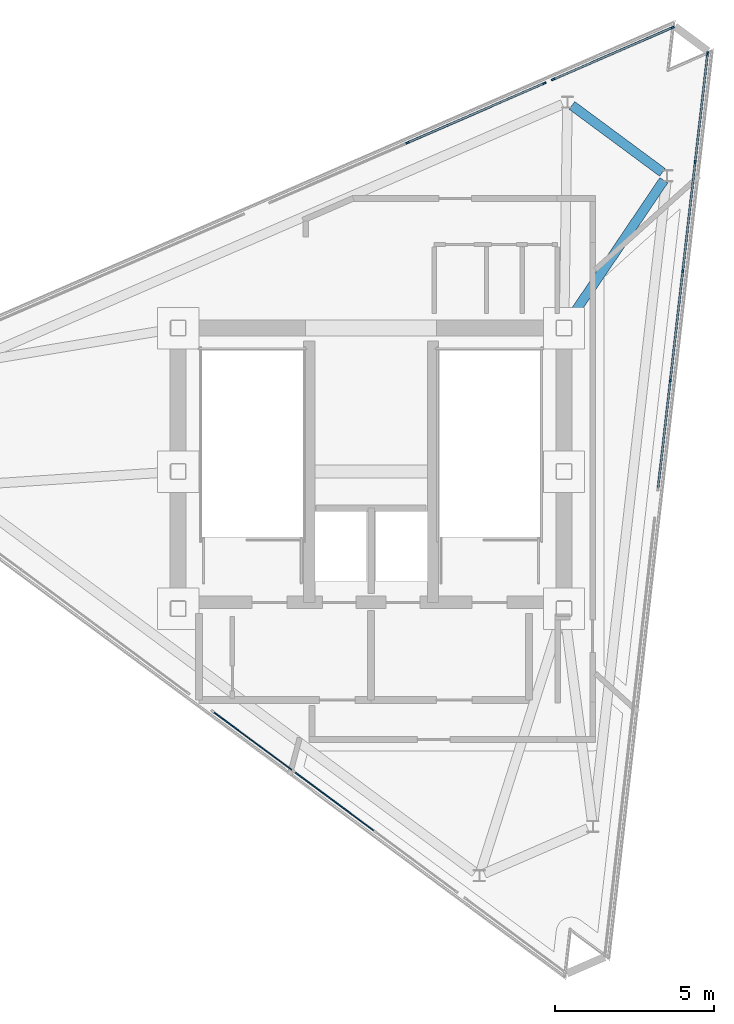
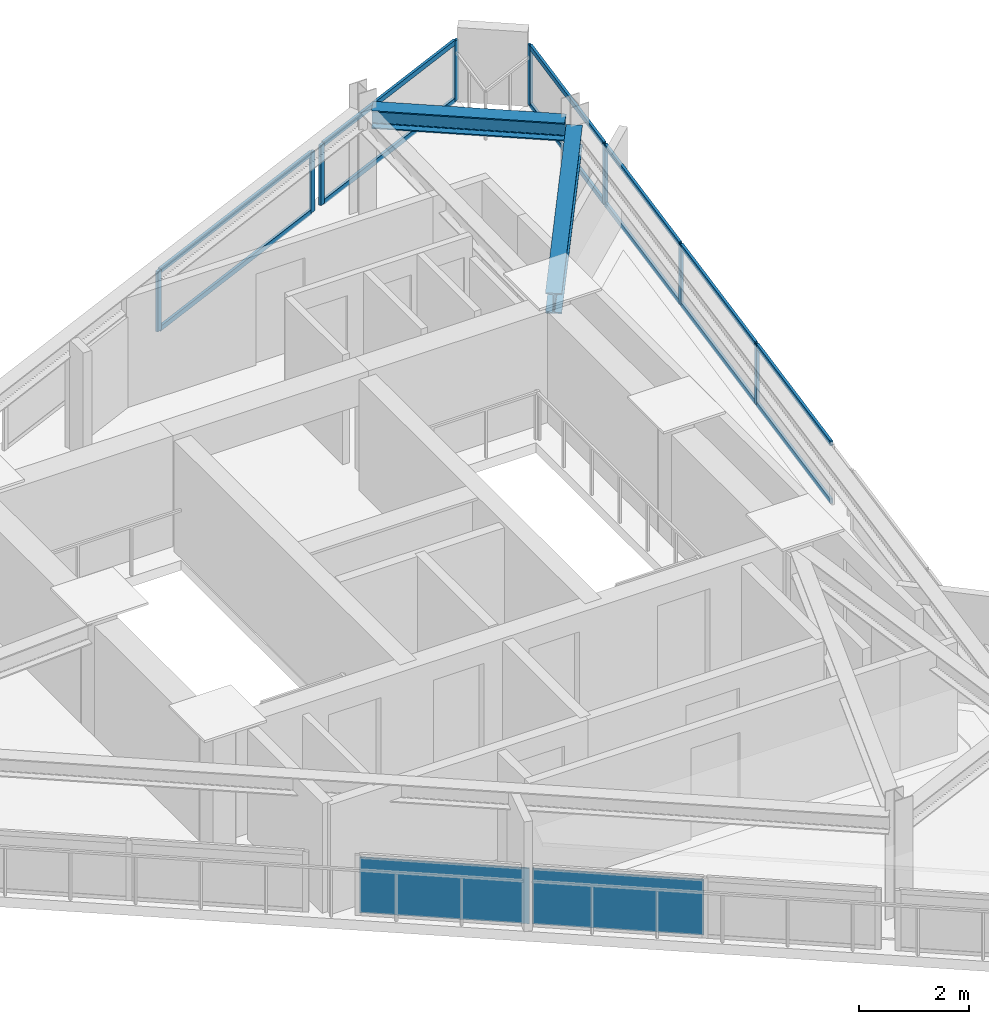
# One storey, part 5 of 9: 20 members, 2 beams, 2 plates, 4 elements without a shape of their own.
"""IFC4 building model written with IfcOpenShell, lengths in metres."""

import ifcopenshell
import ifcopenshell.guid

model = None  # the IFC model being written
_history = None  # IfcOwnerHistory: only IFC2X3 demands one
_inside = {}  # id of a spatial element -> (the spatial element, [elements in it])
_under = {}  # id of a project, library or spatial element -> (it, [spatial elements below it])
_declared = {}  # id of a project -> (the project, [libraries it declares])
_typed = {}  # id of a type object -> (the type object, [elements of that type])
_made_of = {}  # id of a material, layer set ... -> (it, [elements and type objects made of it])


def new_model(schema):
    """Start an empty IFC model of exactly this schema.

    Asked for "IFC4X3", IfcOpenShell would pick the latest addendum, in which some entities
    have other attributes; the version numbers below select the first issue.
    IFC2X3 requires an IfcOwnerHistory on every rooted entity: one is made here for all.
    """
    global model, _history
    if schema == "IFC4X3":
        model = ifcopenshell.file(schema_version=(4, 3, 0, 0))
    else:
        model = ifcopenshell.file(schema=schema)
    _inside.clear()
    _under.clear()
    _declared.clear()
    _typed.clear()
    _made_of.clear()
    _history = None
    if model.schema == "IFC2X3":
        org = make("IfcOrganization", Name="unknown")
        user = make(
            "IfcPersonAndOrganization",
            ThePerson=make("IfcPerson", FamilyName="unknown"),
            TheOrganization=org,
        )
        app = make(
            "IfcApplication",
            ApplicationDeveloper=org,
            Version="unknown",
            ApplicationFullName="unknown",
            ApplicationIdentifier="unknown",
        )
        _history = make(
            "IfcOwnerHistory",
            OwningUser=user,
            OwningApplication=app,
            ChangeAction="ADDED",
            CreationDate=0,
        )
    return model


def make(cls, **values):
    """One entity of the class cls with the attributes given. An attribute that is None is left unset."""
    return model.create_entity(
        cls, **{name: value for name, value in values.items() if value is not None}
    )


def rooted(cls, **values):
    """An entity with a GlobalId (a new one), such as an element, a storey or a relation."""
    return make(cls, GlobalId=ifcopenshell.guid.new(), OwnerHistory=_history, **values)


def si_unit(unit_type, name, prefix=None):
    """IfcSIUnit, for example si_unit("LENGTHUNIT", "METRE", prefix="MILLI")."""
    return make("IfcSIUnit", UnitType=unit_type, Prefix=prefix, Name=name)


def assignment(units):
    """IfcUnitAssignment: the units of a project."""
    return None if units is None else make("IfcUnitAssignment", Units=units)


def point(xyz):
    """IfcCartesianPoint."""
    return None if xyz is None else make("IfcCartesianPoint", Coordinates=xyz)


def direction(xyz):
    """IfcDirection."""
    return None if xyz is None else make("IfcDirection", DirectionRatios=xyz)


def frame(location, z_axis=None, x_axis=None):
    """IfcAxis2Placement3D, a coordinate frame: its origin and axes. An axis left out is left unset."""
    return make(
        "IfcAxis2Placement3D",
        Location=point(location),
        Axis=direction(z_axis),
        RefDirection=direction(x_axis),
    )


def frame_2d(location, x_axis=None):
    """IfcAxis2Placement2D, a coordinate frame in the plane: its origin and x axis."""
    return make(
        "IfcAxis2Placement2D", Location=point(location), RefDirection=direction(x_axis)
    )


def origin():
    """The frame at (0, 0, 0) with its axes left unset."""
    return frame((0.0, 0.0, 0.0))


def origin_2d():
    """The frame at (0, 0) in the plane with its x axis left unset."""
    return frame_2d((0.0, 0.0))


def place(relative_to, where):
    """IfcLocalPlacement: puts the frame where relative to a parent placement (None: the world)."""
    return make(
        "IfcLocalPlacement", PlacementRelTo=relative_to, RelativePlacement=where
    )


def context(
    kind, dimensions, precision=None, world=None, true_north=None, identifier=None
):
    """IfcGeometricRepresentationContext, for example the 3D "Model" context."""
    return make(
        "IfcGeometricRepresentationContext",
        ContextIdentifier=identifier,
        ContextType=kind,
        CoordinateSpaceDimension=dimensions,
        Precision=precision,
        WorldCoordinateSystem=world,
        TrueNorth=true_north,
    )


def subcontext(parent, identifier, kind, view, scale=None):
    """IfcGeometricRepresentationSubContext, for example "Body" below "Model"."""
    return make(
        "IfcGeometricRepresentationSubContext",
        ContextIdentifier=identifier,
        ContextType=kind,
        ParentContext=parent,
        TargetScale=scale,
        TargetView=view,
    )


def project(units=None, contexts=None):
    """IfcProject with its units and contexts."""
    return rooted(
        "IfcProject",
        Name="project",
        RepresentationContexts=contexts,
        UnitsInContext=assignment(units),
    )


def spatial(cls, under=None, at=None, **own):
    """A site, building, storey or space (cls), placed at a placement, below another one or the project."""
    s = rooted(cls, ObjectPlacement=at, **own)
    if under is not None:
        _under.setdefault(under.id(), (under, []))[1].append(s)
    return s


def profile(cls, at=None, kind="AREA", **sizes):
    """A parametric profile (cls). Its sizes go by their IFC names, for example OverallWidth=200.0."""
    return make(cls, ProfileType=kind, Position=at, **sizes)


def rectangle(**sizes):
    """IfcRectangleProfileDef."""
    return profile("IfcRectangleProfileDef", **sizes)


def i_section(**sizes):
    """IfcIShapeProfileDef."""
    return profile("IfcIShapeProfileDef", **sizes)


def extrude(swept, where, along, depth):
    """IfcExtrudedAreaSolid: the profile swept, set in the frame where, extruded along a direction by depth."""
    return make(
        "IfcExtrudedAreaSolid",
        SweptArea=swept,
        Position=where,
        ExtrudedDirection=direction(along),
        Depth=depth,
    )


def shape(context_of_items, identifier, shape_type, items):
    """IfcShapeRepresentation: the items that make up one representation, for example the "Body"."""
    return make(
        "IfcShapeRepresentation",
        ContextOfItems=context_of_items,
        RepresentationIdentifier=identifier,
        RepresentationType=shape_type,
        Items=items,
    )


def material(Name=None, Category=None):
    """IfcMaterial."""
    return make("IfcMaterial", Name=Name, Category=Category)


def layer(
    of_material, thickness, ventilated=None, Name=None, Category=None, Priority=None
):
    """IfcMaterialLayer: one layer of a wall or slab, of a material (None: an air gap)."""
    return make(
        "IfcMaterialLayer",
        Material=of_material,
        LayerThickness=thickness,
        IsVentilated=ventilated,
        Name=Name,
        Category=Category,
        Priority=Priority,
    )


def layer_set(layers, Name=None):
    """IfcMaterialLayerSet."""
    return make("IfcMaterialLayerSet", MaterialLayers=layers, LayerSetName=Name)


def material_profile(
    of_material, cross_section, Name=None, Category=None, Priority=None
):
    """IfcMaterialProfile: a cross section and its material."""
    return make(
        "IfcMaterialProfile",
        Name=Name,
        Material=of_material,
        Profile=cross_section,
        Priority=Priority,
        Category=Category,
    )


def profile_set(profiles, Name=None, composite=None):
    """IfcMaterialProfileSet."""
    return make(
        "IfcMaterialProfileSet",
        Name=Name,
        MaterialProfiles=profiles,
        CompositeProfile=composite,
    )


def made_of(thing, what):
    """Note that an element or type object is made of a material, layer set ...; save() writes the relation."""
    if what is not None:
        _made_of.setdefault(what.id(), (what, []))[1].append(thing)
    return thing


def type_object(cls, material=None, **own):
    """A type object (cls), such as IfcWallType, which elements share."""
    return made_of(rooted(cls, **own), material)


def element(
    cls,
    number,
    at=None,
    inside=None,
    cuts=None,
    type_object=None,
    material=None,
    context=None,
    identifier="Body",
    shape_type=None,
    held_by="IfcProductDefinitionShape",
    body=None,
    shapes=None,
    **own,
):
    """One element of the class cls, such as IfcWall. Its Tag is "e" and its number.

    at: its placement. inside: the storey or other place that contains it. cuts: it is an
    opening in that element (IfcRelVoidsElement). A single representation is given by context,
    identifier, shape_type and body (its items); several are given by shapes. held_by: the class
    of the entity that holds the representations. save() writes the other relations.
    """
    e = rooted(cls, Tag="e%d" % number, ObjectPlacement=at, **own)
    if body is not None:
        shapes = [shape(context, identifier, shape_type, body)]
    if shapes is not None:
        e.Representation = make(held_by, Representations=shapes)
    if inside is not None:
        _inside.setdefault(inside.id(), (inside, []))[1].append(e)
    if cuts is not None:
        rooted(
            "IfcRelVoidsElement", RelatingBuildingElement=cuts, RelatedOpeningElement=e
        )
    if type_object is not None:
        _typed.setdefault(type_object.id(), (type_object, []))[1].append(e)
    return made_of(e, material)


def aggregate(whole, parts):
    """IfcRelAggregates: a whole, such as a stair, and the parts it consists of."""
    return rooted("IfcRelAggregates", RelatingObject=whole, RelatedObjects=parts)


def save(model, path):
    """Write the relations noted so far, then the file.

    IfcRelAggregates (storeys below a building ...), IfcRelContainedInSpatialStructure (elements
    in a storey), IfcRelDefinesByType, IfcRelAssociatesMaterial and IfcRelDeclares: one each for
    every whole, place, type object, material and project.
    """
    for whole, parts in _under.values():
        aggregate(whole, parts)
    for where, things in _inside.values():
        rooted(
            "IfcRelContainedInSpatialStructure",
            RelatedElements=things,
            RelatingStructure=where,
        )
    for kind, things in _typed.values():
        rooted("IfcRelDefinesByType", RelatedObjects=things, RelatingType=kind)
    for what, things in _made_of.values():
        rooted("IfcRelAssociatesMaterial", RelatedObjects=things, RelatingMaterial=what)
    for by, libraries in _declared.values():
        rooted("IfcRelDeclares", RelatingContext=by, RelatedDefinitions=libraries)
    model.write(path)


model = new_model("IFC4")

# Units and contexts
model_context = context("Model", 3, precision=1e-05, world=origin(), true_north=direction((0.0, 1.0)))
body_context = subcontext(model_context, "Body", "Model", "MODEL_VIEW")
ifc_project = project(units=[si_unit("LENGTHUNIT", "METRE"), si_unit("AREAUNIT", "SQUARE_METRE"), si_unit("VOLUMEUNIT", "CUBIC_METRE"), si_unit("PLANEANGLEUNIT", "RADIAN"), si_unit("MASSUNIT", "GRAM", prefix="KILO")], contexts=[model_context])

# Site, building, storey
site_placement = place(None, origin())
site = spatial("IfcSite", under=ifc_project, at=site_placement, CompositionType="ELEMENT")
building_placement = place(site_placement, origin())
building = spatial("IfcBuilding", under=site, at=building_placement, Name="Rocaltana Carrier Exchange", CompositionType="ELEMENT")
storey_placement = place(building_placement, frame((0.0, 0.0, 254.8798828125)))
storey = spatial("IfcBuildingStorey", under=building, at=storey_placement, Name="L81", CompositionType="ELEMENT", Elevation=254.8798828125)

# Curtain wall, members
ifc_material_1 = material(Name="Aluminium 6063-T6", Category="aluminium")
ifc_layer_1 = layer(ifc_material_1, 0.110107421875)
ifc_layer_set_1 = layer_set([ifc_layer_1], Name="Aluminium 6063-T6")
curtain_wall_type = type_object("IfcCurtainWallType", Name="Crown Lantern Faceted Curtain Wall CW-06", PredefinedType="NOTDEFINED", material=ifc_layer_set_1)
curtain_wall_1_placement = place(storey_placement, origin())
curtain_wall_1 = element("IfcCurtainWall", 1, at=curtain_wall_1_placement, inside=storey, type_object=curtain_wall_type, Name="L81 CW-06 Run CW06-L81-F1S2", PredefinedType="NOTDEFINED")
ifc_material_2 = material(Name="Aluminium 6063-T6", Category="aluminium")
ifc_material_profile_1 = material_profile(ifc_material_2, rectangle(XDim=0.054931640625, YDim=0.110107421875, at=origin_2d()), Name="AL-55X110")
ifc_profile_set_1 = profile_set([ifc_material_profile_1], Name="Aluminium 6063-T6")
member_type_1 = type_object("IfcMemberType", Name="CW-06 Mullion AL-55X110", PredefinedType="MULLION", material=ifc_profile_set_1)
member_1_placement = place(storey_placement, frame((9.383544921875, 2.856201171875, 0.0), z_axis=(0.0, 0.0, 1.0), x_axis=(-0.993571898924, 0.113202834189, 0.0)))
member_1 = element("IfcMember", 2, at=member_1_placement, type_object=member_type_1, Name="CW-06 mullion 2", PredefinedType="MULLION", context=body_context, shape_type="SweptSolid", body=[
    extrude(rectangle(XDim=0.054931640625, YDim=0.110107421875, at=origin_2d()), origin(), (0.0, 0.0, 1.0), 1.338134765625),
])
member_2_placement = place(storey_placement, frame((9.774169921875, 6.283935546875, 0.0), z_axis=(0.0, 0.0, 1.0), x_axis=(-0.993571898924, 0.113202834189, 0.0)))
member_2 = element("IfcMember", 3, at=member_2_placement, type_object=member_type_1, Name="CW-06 mullion 3", PredefinedType="MULLION", context=body_context, shape_type="SweptSolid", body=[
    extrude(rectangle(XDim=0.054931640625, YDim=0.110107421875, at=origin_2d()), origin(), (0.0, 0.0, 1.0), 1.338134765625),
])
member_3_placement = place(storey_placement, frame((10.16455078125, 9.711669921875, 0.0), z_axis=(0.0, 0.0, 1.0), x_axis=(-0.993571898924, 0.113202834189, 0.0)))
member_3 = element("IfcMember", 4, at=member_3_placement, type_object=member_type_1, Name="CW-06 mullion 4", PredefinedType="MULLION", context=body_context, shape_type="SweptSolid", body=[
    extrude(rectangle(XDim=0.054931640625, YDim=0.110107421875, at=origin_2d()), origin(), (0.0, 0.0, 1.0), 1.338134765625),
])
member_4_placement = place(storey_placement, frame((10.552001953125, 13.1123046875, 0.0), z_axis=(0.0, 0.0, 1.0), x_axis=(-0.993571898924, 0.113202834189, 0.0)))
member_4 = element("IfcMember", 5, at=member_4_placement, type_object=member_type_1, Name="CW-06 mullion 5", PredefinedType="MULLION", context=body_context, shape_type="SweptSolid", body=[
    extrude(rectangle(XDim=0.054931640625, YDim=0.110107421875, at=origin_2d()), origin(), (0.0, 0.0, 1.0), 1.338134765625),
])

curtain_wall_2_placement = place(storey_placement, origin())
curtain_wall_2 = element("IfcCurtainWall", 6, at=curtain_wall_2_placement, inside=storey, type_object=curtain_wall_type, Name="L81 CW-06 Run CW06-L81-F2S1-S1", PredefinedType="NOTDEFINED")
member_5_placement = place(storey_placement, frame((9.4541015625, 13.924560546875, 0.0), z_axis=(0.0, 0.0, 1.0), x_axis=(0.39874730916, -0.917060839551, 0.0)))
member_5 = element("IfcMember", 7, at=member_5_placement, type_object=member_type_1, Name="CW-06 mullion 1", PredefinedType="MULLION", context=body_context, shape_type="SweptSolid", body=[
    extrude(rectangle(XDim=0.054931640625, YDim=0.110107421875, at=origin_2d()), origin(), (0.0, 0.0, 1.0), 1.338134765625),
])
member_6_placement = place(storey_placement, frame((5.7080078125, 12.295654296875, 0.0), z_axis=(0.0, 0.0, 1.0), x_axis=(0.39874730916, -0.917060839551, 0.0)))
member_6 = element("IfcMember", 8, at=member_6_placement, type_object=member_type_1, Name="CW-06 mullion 2", PredefinedType="MULLION", context=body_context, shape_type="SweptSolid", body=[
    extrude(rectangle(XDim=0.054931640625, YDim=0.110107421875, at=origin_2d()), origin(), (0.0, 0.0, 1.0), 1.338134765625),
])

curtain_wall_3_placement = place(storey_placement, origin())
curtain_wall_3 = element("IfcCurtainWall", 9, at=curtain_wall_3_placement, inside=storey, type_object=curtain_wall_type, Name="L81 CW-06 Run CW06-L81-F2S1-S2", PredefinedType="NOTDEFINED")
member_7_placement = place(storey_placement, frame((5.434326171875, 12.1767578125, 0.0), z_axis=(0.0, 0.0, 1.0), x_axis=(0.398747080502, -0.917060938974, 0.0)))
member_7 = element("IfcMember", 10, at=member_7_placement, type_object=member_type_1, Name="CW-06 mullion 1", PredefinedType="MULLION", context=body_context, shape_type="SweptSolid", body=[
    extrude(rectangle(XDim=0.054931640625, YDim=0.110107421875, at=origin_2d()), origin(), (0.0, 0.0, 1.0), 1.338134765625),
])
member_8_placement = place(storey_placement, frame((1.141845703125, 10.310302734375, 0.0), z_axis=(0.0, 0.0, 1.0), x_axis=(0.398747080502, -0.917060938974, 0.0)))
member_8 = element("IfcMember", 11, at=member_8_placement, type_object=member_type_1, Name="CW-06 mullion 2", PredefinedType="MULLION", context=body_context, shape_type="SweptSolid", body=[
    extrude(rectangle(XDim=0.054931640625, YDim=0.110107421875, at=origin_2d()), origin(), (0.0, 0.0, 1.0), 1.338134765625),
])

# Member
ifc_material_3 = material(Name="Aluminium 6063-T6", Category="aluminium")
ifc_material_profile_2 = material_profile(ifc_material_3, rectangle(XDim=0.054931640625, YDim=0.110107421875, at=origin_2d()), Name="AL-55X110")
ifc_profile_set_2 = profile_set([ifc_material_profile_2], Name="Aluminium 6063-T6")
member_type_2 = type_object("IfcMemberType", Name="CW-06 Transom AL-55X110", PredefinedType="USERDEFINED", material=ifc_profile_set_2)
member_9_placement = place(storey_placement, frame((8.999267578125, -0.51708984375, 0.027587890625), z_axis=(0.113168323322, 0.99357583032, 0.0), x_axis=(-0.99357583032, 0.113168323322, 0.0)))
member_9 = element("IfcMember", 12, at=member_9_placement, type_object=member_type_2, Name="CW-06 transom 1.1", ObjectType="TRANSOM", PredefinedType="USERDEFINED", context=body_context, shape_type="SweptSolid", body=[
    extrude(rectangle(XDim=0.054931640625, YDim=0.110107421875, at=origin_2d()), origin(), (0.0, 0.0, 1.0), 3.36767578125),
])

member_10_placement = place(storey_placement, frame((8.999267578125, -0.51708984375, 1.310546875), z_axis=(0.113168323322, 0.99357583032, 0.0), x_axis=(-0.99357583032, 0.113168323322, 0.0)))
member_10 = element("IfcMember", 13, at=member_10_placement, type_object=member_type_2, Name="CW-06 transom 1.2", ObjectType="TRANSOM", PredefinedType="USERDEFINED", context=body_context, shape_type="SweptSolid", body=[
    extrude(rectangle(XDim=0.054931640625, YDim=0.110107421875, at=origin_2d()), origin(), (0.0, 0.0, 1.0), 3.36767578125),
])

member_11_placement = place(storey_placement, frame((9.38671875, 2.883544921875, 0.027587890625), z_axis=(0.113193674828, 0.993572942455, 0.0), x_axis=(-0.993572942455, 0.113193674828, 0.0)))
member_11 = element("IfcMember", 14, at=member_11_placement, type_object=member_type_2, Name="CW-06 transom 2.1", ObjectType="TRANSOM", PredefinedType="USERDEFINED", context=body_context, shape_type="SweptSolid", body=[
    extrude(rectangle(XDim=0.054931640625, YDim=0.110107421875, at=origin_2d()), origin(), (0.0, 0.0, 1.0), 3.394775390625),
])

member_12_placement = place(storey_placement, frame((9.38671875, 2.883544921875, 1.310546875), z_axis=(0.113193674828, 0.993572942455, 0.0), x_axis=(-0.993572942455, 0.113193674828, 0.0)))
member_12 = element("IfcMember", 15, at=member_12_placement, type_object=member_type_2, Name="CW-06 transom 2.2", ObjectType="TRANSOM", PredefinedType="USERDEFINED", context=body_context, shape_type="SweptSolid", body=[
    extrude(rectangle(XDim=0.054931640625, YDim=0.110107421875, at=origin_2d()), origin(), (0.0, 0.0, 1.0), 3.394775390625),
])

member_13_placement = place(storey_placement, frame((9.777099609375, 6.311279296875, 0.027587890625), z_axis=(0.113256574859, 0.993565774497, 0.0), x_axis=(-0.993565774497, 0.113256574859, 0.0)))
member_13 = element("IfcMember", 16, at=member_13_placement, type_object=member_type_2, Name="CW-06 transom 3.1", ObjectType="TRANSOM", PredefinedType="USERDEFINED", context=body_context, shape_type="SweptSolid", body=[
    extrude(rectangle(XDim=0.054931640625, YDim=0.110107421875, at=origin_2d()), origin(), (0.0, 0.0, 1.0), 3.39501953125),
])

member_14_placement = place(storey_placement, frame((9.777099609375, 6.311279296875, 1.310546875), z_axis=(0.113256574859, 0.993565774497, 0.0), x_axis=(-0.993565774497, 0.113256574859, 0.0)))
member_14 = element("IfcMember", 17, at=member_14_placement, type_object=member_type_2, Name="CW-06 transom 3.2", ObjectType="TRANSOM", PredefinedType="USERDEFINED", context=body_context, shape_type="SweptSolid", body=[
    extrude(rectangle(XDim=0.054931640625, YDim=0.110107421875, at=origin_2d()), origin(), (0.0, 0.0, 1.0), 3.39501953125),
])

member_15_placement = place(storey_placement, frame((10.167724609375, 9.739013671875, 0.027587890625), z_axis=(0.113239891287, 0.993567676115, 0.0), x_axis=(-0.993567676115, 0.113239891287, 0.0)))
member_15 = element("IfcMember", 18, at=member_15_placement, type_object=member_type_2, Name="CW-06 transom 4.1", ObjectType="TRANSOM", PredefinedType="USERDEFINED", context=body_context, shape_type="SweptSolid", body=[
    extrude(rectangle(XDim=0.054931640625, YDim=0.110107421875, at=origin_2d()), origin(), (0.0, 0.0, 1.0), 3.36767578125),
])

member_16_placement = place(storey_placement, frame((10.167724609375, 9.739013671875, 1.310546875), z_axis=(0.113239891287, 0.993567676115, 0.0), x_axis=(-0.993567676115, 0.113239891287, 0.0)))
member_16 = element("IfcMember", 19, at=member_16_placement, type_object=member_type_2, Name="CW-06 transom 4.2", ObjectType="TRANSOM", PredefinedType="USERDEFINED", context=body_context, shape_type="SweptSolid", body=[
    extrude(rectangle(XDim=0.054931640625, YDim=0.110107421875, at=origin_2d()), origin(), (0.0, 0.0, 1.0), 3.36767578125),
])

aggregate(curtain_wall_1, [member_1, member_2, member_3, member_4, member_9, member_10, member_11, member_12, member_13, member_14, member_15, member_16])

member_17_placement = place(storey_placement, frame((9.428955078125, 13.91357421875, 0.027587890625), z_axis=(-0.917064277434, -0.398739402436, 0.0), x_axis=(0.398739402436, -0.917064277434, 0.0)))
member_17 = element("IfcMember", 20, at=member_17_placement, type_object=member_type_2, Name="CW-06 transom 1.1", ObjectType="TRANSOM", PredefinedType="USERDEFINED", context=body_context, shape_type="SweptSolid", body=[
    extrude(rectangle(XDim=0.054931640625, YDim=0.110107421875, at=origin_2d()), origin(), (0.0, 0.0, 1.0), 4.030029296875),
])

member_18_placement = place(storey_placement, frame((9.428955078125, 13.91357421875, 1.310546875), z_axis=(-0.917064277434, -0.398739402436, 0.0), x_axis=(0.398739402436, -0.917064277434, 0.0)))
member_18 = element("IfcMember", 21, at=member_18_placement, type_object=member_type_2, Name="CW-06 transom 1.2", ObjectType="TRANSOM", PredefinedType="USERDEFINED", context=body_context, shape_type="SweptSolid", body=[
    extrude(rectangle(XDim=0.054931640625, YDim=0.110107421875, at=origin_2d()), origin(), (0.0, 0.0, 1.0), 4.030029296875),
])

aggregate(curtain_wall_2, [member_5, member_6, member_17, member_18])

member_19_placement = place(storey_placement, frame((5.4091796875, 12.165771484375, 0.027587890625), z_axis=(-0.917065860834, -0.398735760739, 0.0), x_axis=(0.398735760739, -0.917065860834, 0.0)))
member_19 = element("IfcMember", 22, at=member_19_placement, type_object=member_type_2, Name="CW-06 transom 1.1", ObjectType="TRANSOM", PredefinedType="USERDEFINED", context=body_context, shape_type="SweptSolid", body=[
    extrude(rectangle(XDim=0.054931640625, YDim=0.110107421875, at=origin_2d()), origin(), (0.0, 0.0, 1.0), 4.625732421875),
])

member_20_placement = place(storey_placement, frame((5.4091796875, 12.165771484375, 1.310546875), z_axis=(-0.917065860834, -0.398735760739, 0.0), x_axis=(0.398735760739, -0.917065860834, 0.0)))
member_20 = element("IfcMember", 23, at=member_20_placement, type_object=member_type_2, Name="CW-06 transom 1.2", ObjectType="TRANSOM", PredefinedType="USERDEFINED", context=body_context, shape_type="SweptSolid", body=[
    extrude(rectangle(XDim=0.054931640625, YDim=0.110107421875, at=origin_2d()), origin(), (0.0, 0.0, 1.0), 4.625732421875),
])

aggregate(curtain_wall_3, [member_7, member_8, member_19, member_20])

# Beams
ifc_material_4 = material(Name="Steel S460", Category="steel")
ifc_material_profile_3 = material_profile(ifc_material_4, i_section(OverallWidth=0.300048828125, OverallDepth=0.449951171875, WebThickness=0.013916015625, FlangeThickness=0.02587890625, FilletRadius=0.027099609375, at=origin_2d()), Name="HEB450")
ifc_profile_set_3 = profile_set([ifc_material_profile_3], Name="Steel S460")
beam_type_1 = type_object("IfcBeamType", Name="Crown Frame Rafter HEB450", PredefinedType="BEAM", material=ifc_profile_set_3)
beam_1_placement = place(storey_placement, frame((6.185546875, 4.700439453125, 2.233154296875), z_axis=(0.55981845745, 0.828615287512, 0.0), x_axis=(-0.828615287512, 0.55981845745, 0.0)))
element("IfcBeam", 24, at=beam_1_placement, inside=storey, type_object=beam_type_1, Name="CRG-RAD-L81-02", PredefinedType="BEAM", context=body_context, shape_type="SweptSolid", body=[
    extrude(i_section(OverallWidth=0.300048828125, OverallDepth=0.449951171875, WebThickness=0.013916015625, FlangeThickness=0.02587890625, FilletRadius=0.027099609375, at=origin_2d()), origin(), (0.0, 0.0, 1.0), 5.349609375),
])
ifc_material_5 = material(Name="Steel S460", Category="steel")
ifc_material_profile_4 = material_profile(ifc_material_5, i_section(OverallWidth=0.300048828125, OverallDepth=0.39990234375, WebThickness=0.013427734375, FlangeThickness=0.02392578125, FilletRadius=0.027099609375, at=origin_2d()), Name="HEB400")
ifc_profile_set_4 = profile_set([ifc_material_profile_4], Name="Steel S460")
beam_type_2 = type_object("IfcBeamType", Name="Crown Ring Beam HEB400", PredefinedType="BEAM", material=ifc_profile_set_4)
beam_2_placement = place(storey_placement, frame((9.137939453125, 9.380859375, 2.258056640625), z_axis=(-0.803841238044, 0.594843898867, 0.0), x_axis=(-0.594843898867, -0.803841238044, 0.0)))
element("IfcBeam", 25, at=beam_2_placement, inside=storey, type_object=beam_type_2, Name="CRG-RING-L81-02", PredefinedType="BEAM", context=body_context, shape_type="SweptSolid", body=[
    extrude(i_section(OverallWidth=0.300048828125, OverallDepth=0.39990234375, WebThickness=0.013427734375, FlangeThickness=0.02392578125, FilletRadius=0.027099609375, at=origin_2d()), origin(), (0.0, 0.0, 1.0), 3.53125),
])

# Curtain wall, plates
curtain_wall_4_placement = place(storey_placement, origin())
curtain_wall_4 = element("IfcCurtainWall", 26, at=curtain_wall_4_placement, inside=storey, type_object=curtain_wall_type, Name="L81 CW-06 Run CW06-L81-F3S2-S1", PredefinedType="NOTDEFINED")
ifc_material_6 = material(Name="Tempered Laminated Glass", Category="glass")
ifc_layer_2 = layer(ifc_material_6, 0.033935546875)
ifc_layer_set_2 = layer_set([ifc_layer_2], Name="Tempered Laminated Glass")
plate_type = type_object("IfcPlateType", Name="CW-06 Stone-Insulated Vision Panel", PredefinedType="CURTAIN_PANEL", material=ifc_layer_set_2)
plate_1_placement = place(storey_placement, frame((-3.699462890625, -8.45849609375, 0.05517578125), z_axis=(0.0, 0.0, 1.0), x_axis=(0.803858299434, -0.594820842297, 0.0)))
plate_1 = element("IfcPlate", 27, at=plate_1_placement, type_object=plate_type, Name="CW-06 panel 1.1", PredefinedType="CURTAIN_PANEL", context=body_context, shape_type="SweptSolid", body=[
    extrude(rectangle(XDim=3.105224609375, YDim=0.033935546875, at=origin_2d()), origin(), (0.0, 0.0, 1.0), 1.22802734375),
])
plate_2_placement = place(storey_placement, frame((-1.14794921875, -10.346435546875, 0.05517578125), z_axis=(0.0, 0.0, 1.0), x_axis=(0.803858299434, -0.594820842297, 0.0)))
plate_2 = element("IfcPlate", 28, at=plate_2_placement, type_object=plate_type, Name="CW-06 panel 2.1", PredefinedType="CURTAIN_PANEL", context=body_context, shape_type="SweptSolid", body=[
    extrude(rectangle(XDim=3.132568359375, YDim=0.033935546875, at=origin_2d()), origin(), (0.0, 0.0, 1.0), 1.22802734375),
])
aggregate(curtain_wall_4, [plate_1, plate_2])

save(model, "model.ifc")
